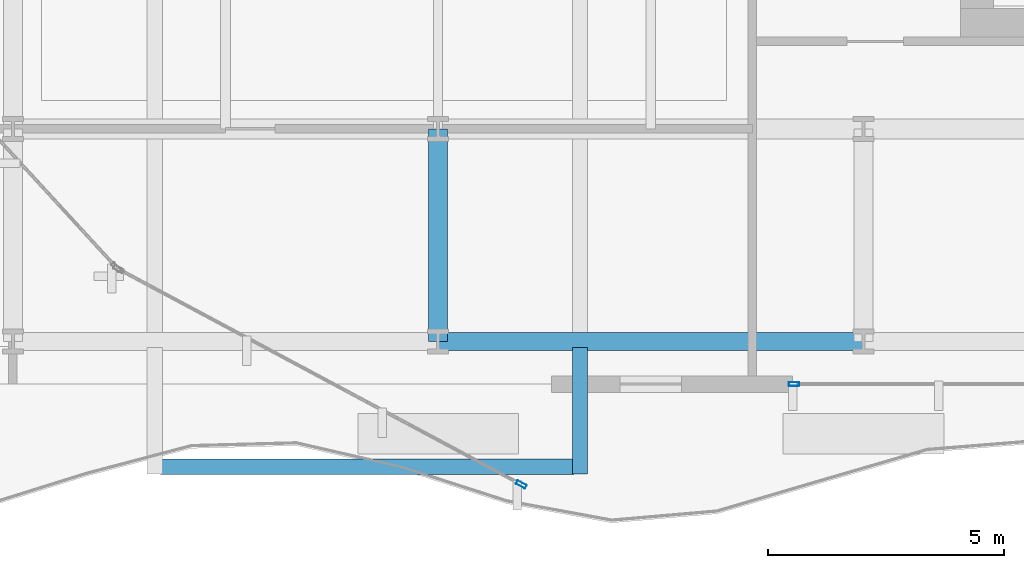
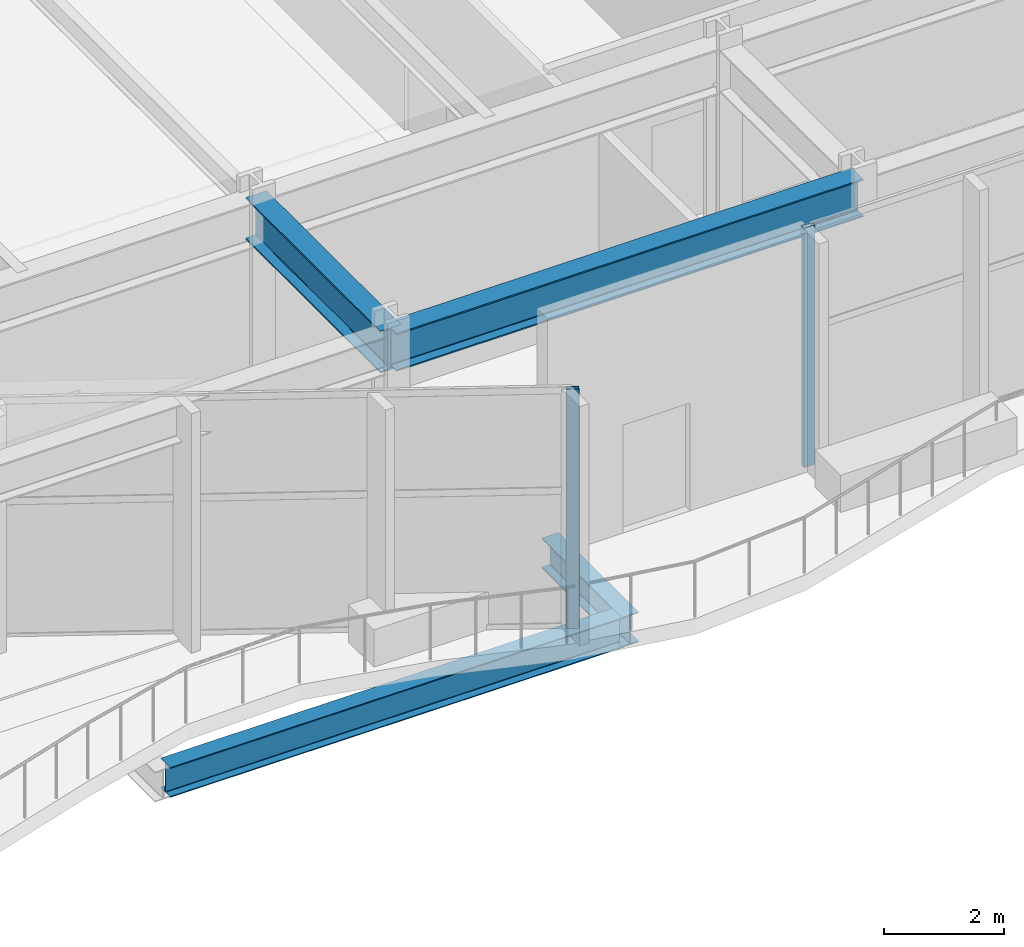
# One storey, part 3 of 31: 4 beams, 2 members, 2 elements without a shape of their own.
"""IFC4 building model written with IfcOpenShell, lengths in metres."""

from ifc_helpers import new_model, si_unit, direction, frame, origin, origin_2d, place, context, subcontext, project, spatial, hollow_rectangle, i_section, extrude, material, layer, layer_set, material_profile, profile_set, type_object, element, aggregate, save


model = new_model("IFC4")

# Units and contexts
model_context = context("Model", 3, precision=1e-05, world=origin(), true_north=direction((0.0, 1.0)))
body_context = subcontext(model_context, "Body", "Model", "MODEL_VIEW")
ifc_project = project(units=[si_unit("LENGTHUNIT", "METRE"), si_unit("AREAUNIT", "SQUARE_METRE"), si_unit("VOLUMEUNIT", "CUBIC_METRE"), si_unit("PLANEANGLEUNIT", "RADIAN"), si_unit("MASSUNIT", "GRAM", prefix="KILO")], contexts=[model_context])

# Site, building, storey
site_placement = place(None, origin())
site = spatial("IfcSite", under=ifc_project, at=site_placement, CompositionType="ELEMENT")
building_placement = place(site_placement, origin())
building = spatial("IfcBuilding", under=site, at=building_placement, Name="Solvaryn Broadcast Tower", CompositionType="ELEMENT")
storey_placement = place(building_placement, frame((0.0, 0.0, 11.0)))
storey = spatial("IfcBuildingStorey", under=building, at=storey_placement, Name="L02", CompositionType="ELEMENT", Elevation=11.0)

# Beams
ifc_material_1 = material(Name="Steel ASTM A992 Grade 50", Category="steel")
ifc_material_profile_1 = material_profile(ifc_material_1, i_section(OverallWidth=0.323974609375, OverallDepth=0.611083984375, WebThickness=0.0126953125, FlangeThickness=0.01904296875, FilletRadius=0.014892578125, at=origin_2d()))
ifc_profile_set_1 = profile_set([ifc_material_profile_1], Name="Steel ASTM A992 Grade 50")
beam_type_1 = type_object("IfcBeamType", Name="BM-B1-W24X104", PredefinedType="BEAM", material=ifc_profile_set_1)
beam_1_placement = place(storey_placement, frame((12.125, 1.85009765625, -0.62548828125), z_axis=(1.0, 0.0, 0.0), x_axis=(0.0, 1.0, 0.0)))
element("IfcBeam", 1, at=beam_1_placement, inside=storey, type_object=beam_type_1, Name="L02 Terrace Cross Tie Beam", PredefinedType="BEAM", context=body_context, shape_type="SweptSolid", body=[
    extrude(i_section(OverallWidth=0.323974609375, OverallDepth=0.611083984375, WebThickness=0.0126953125, FlangeThickness=0.01904296875, FilletRadius=0.014892578125, at=origin_2d()), origin(), (0.0, 0.0, 1.0), 8.75),
])
ifc_material_2 = material(Name="Steel ASTM A992 Grade 50", Category="steel")
ifc_material_profile_2 = material_profile(ifc_material_2, i_section(OverallWidth=0.323974609375, OverallDepth=0.611083984375, WebThickness=0.0126953125, FlangeThickness=0.01904296875, FilletRadius=0.014892578125, at=origin_2d()))
ifc_profile_set_2 = profile_set([ifc_material_profile_2], Name="Steel ASTM A992 Grade 50")
beam_type_2 = type_object("IfcBeamType", Name="BM-CANT-TER", PredefinedType="BEAM", material=ifc_profile_set_2)
beam_2_placement = place(storey_placement, frame((21.0, 4.375, -0.62548828125), z_axis=(0.0, -1.0, 0.0), x_axis=(1.0, 0.0, 0.0)))
element("IfcBeam", 2, at=beam_2_placement, inside=storey, type_object=beam_type_2, Name="L02 Terrace Cantilever Beam X21.0", PredefinedType="BEAM", context=body_context, shape_type="SweptSolid", body=[
    extrude(i_section(OverallWidth=0.323974609375, OverallDepth=0.611083984375, WebThickness=0.0126953125, FlangeThickness=0.01904296875, FilletRadius=0.014892578125, at=origin_2d()), origin(), (0.0, 0.0, 1.0), 2.675048828125),
])
ifc_material_3 = material(Name="Steel ASTM A992 Grade 50", Category="steel")
ifc_material_profile_3 = material_profile(ifc_material_3, i_section(OverallWidth=0.39990234375, OverallDepth=0.85498046875, WebThickness=0.018310546875, FlangeThickness=0.029296875, FilletRadius=0.02001953125, at=origin_2d()))
ifc_profile_set_3 = profile_set([ifc_material_profile_3], Name="Steel ASTM A992 Grade 50")
beam_type_3 = type_object("IfcBeamType", Name="BM-G3-W33X201", PredefinedType="BEAM", material=ifc_profile_set_3)
beam_3_placement = place(storey_placement, frame((18.0, 4.5, 4.452392578125), z_axis=(0.0, 1.0, 0.0), x_axis=(-1.0, 0.0, 0.0)))
element("IfcBeam", 3, at=beam_3_placement, inside=storey, type_object=beam_type_3, Name="L02 Primary Beam Y (4-9 @ X=18)", PredefinedType="BEAM", context=body_context, shape_type="SweptSolid", body=[
    extrude(i_section(OverallWidth=0.39990234375, OverallDepth=0.85498046875, WebThickness=0.018310546875, FlangeThickness=0.029296875, FilletRadius=0.02001953125, at=origin_2d()), origin(), (0.0, 0.0, 1.0), 4.5),
])
ifc_material_4 = material(Name="Steel ASTM A992 Grade 50", Category="steel")
ifc_material_profile_4 = material_profile(ifc_material_4, i_section(OverallWidth=0.381103515625, OverallDepth=0.77294921875, WebThickness=0.0166015625, FlangeThickness=0.027099609375, FilletRadius=0.01806640625, at=origin_2d()))
ifc_profile_set_4 = profile_set([ifc_material_profile_4], Name="Steel ASTM A992 Grade 50")
beam_type_4 = type_object("IfcBeamType", Name="BM-SP1-W30X173", PredefinedType="USERDEFINED", material=ifc_profile_set_4)
beam_4_placement = place(storey_placement, frame((18.0, 4.5, 4.493408203125), z_axis=(1.0, 0.0, 0.0), x_axis=(0.0, 1.0, 0.0)))
element("IfcBeam", 4, at=beam_4_placement, inside=storey, type_object=beam_type_4, Name="L02 Spandrel Beam X (18-27 @ Y=4)", ObjectType="SPANDREL", PredefinedType="USERDEFINED", context=body_context, shape_type="SweptSolid", body=[
    extrude(i_section(OverallWidth=0.381103515625, OverallDepth=0.77294921875, WebThickness=0.0166015625, FlangeThickness=0.027099609375, FilletRadius=0.01806640625, at=origin_2d()), origin(), (0.0, 0.0, 1.0), 9.0),
])

# Curtain wall, member
ifc_material_5 = material(Name="Aluminium and Terracotta Unitised Curtain Wall", Category="masonry")
ifc_layer = layer(ifc_material_5, 0.219970703125)
ifc_layer_set = layer_set([ifc_layer], Name="CW-SYS1-PODIUM")
curtain_wall_type = type_object("IfcCurtainWallType", Name="CW-SYS1-PODIUM", PredefinedType="NOTDEFINED", material=ifc_layer_set)
curtain_wall_1_placement = place(storey_placement, origin())
curtain_wall_1 = element("IfcCurtainWall", 5, at=curtain_wall_1_placement, inside=storey, type_object=curtain_wall_type, Name="L02 Podium Curtain Wall S1", PredefinedType="NOTDEFINED")
ifc_material_6 = material(Name="Anodised Aluminium 6063-T6", Category="aluminium")
ifc_material_profile_5 = material_profile(ifc_material_6, hollow_rectangle(XDim=0.0849609375, YDim=0.219970703125, WallThickness=0.0048828125, InnerFilletRadius=0.0048828125, OuterFilletRadius=0.010009765625, at=origin_2d()))
ifc_profile_set_5 = profile_set([ifc_material_profile_5], Name="Anodised Aluminium 6063-T6")
member_type = type_object("IfcMemberType", Name="CW-MUL-220", PredefinedType="MULLION", material=ifc_profile_set_5)
member_1_placement = place(storey_placement, frame((25.530029296875, 3.60009765625, 0.0), z_axis=(0.0, 0.0, 1.0), x_axis=(0.0, -1.0, 0.0)))
member_1 = element("IfcMember", 6, at=member_1_placement, type_object=member_type, Name="CWS1 mullion 3", PredefinedType="MULLION", context=body_context, shape_type="SweptSolid", body=[
    extrude(hollow_rectangle(XDim=0.0849609375, YDim=0.219970703125, WallThickness=0.0048828125, InnerFilletRadius=0.0048828125, OuterFilletRadius=0.010009765625, at=origin_2d()), origin(), (0.0, 0.0, 1.0), 4.8798828125),
])
aggregate(curtain_wall_1, [member_1])

curtain_wall_2_placement = place(storey_placement, origin())
curtain_wall_2 = element("IfcCurtainWall", 7, at=curtain_wall_2_placement, inside=storey, type_object=curtain_wall_type, Name="L02 Podium Curtain Wall DC4", PredefinedType="NOTDEFINED")
member_2_placement = place(storey_placement, frame((19.757568359375, 1.47509765625, 0.0), z_axis=(0.0, 0.0, 1.0), x_axis=(0.471639235536, 0.881791603216, 0.0)))
member_2 = element("IfcMember", 8, at=member_2_placement, type_object=member_type, Name="CWS1 mullion 2", PredefinedType="MULLION", context=body_context, shape_type="SweptSolid", body=[
    extrude(hollow_rectangle(XDim=0.0849609375, YDim=0.219970703125, WallThickness=0.0048828125, InnerFilletRadius=0.0048828125, OuterFilletRadius=0.010009765625, at=origin_2d()), origin(), (0.0, 0.0, 1.0), 4.8798828125),
])
aggregate(curtain_wall_2, [member_2])

save(model, "model.ifc")
